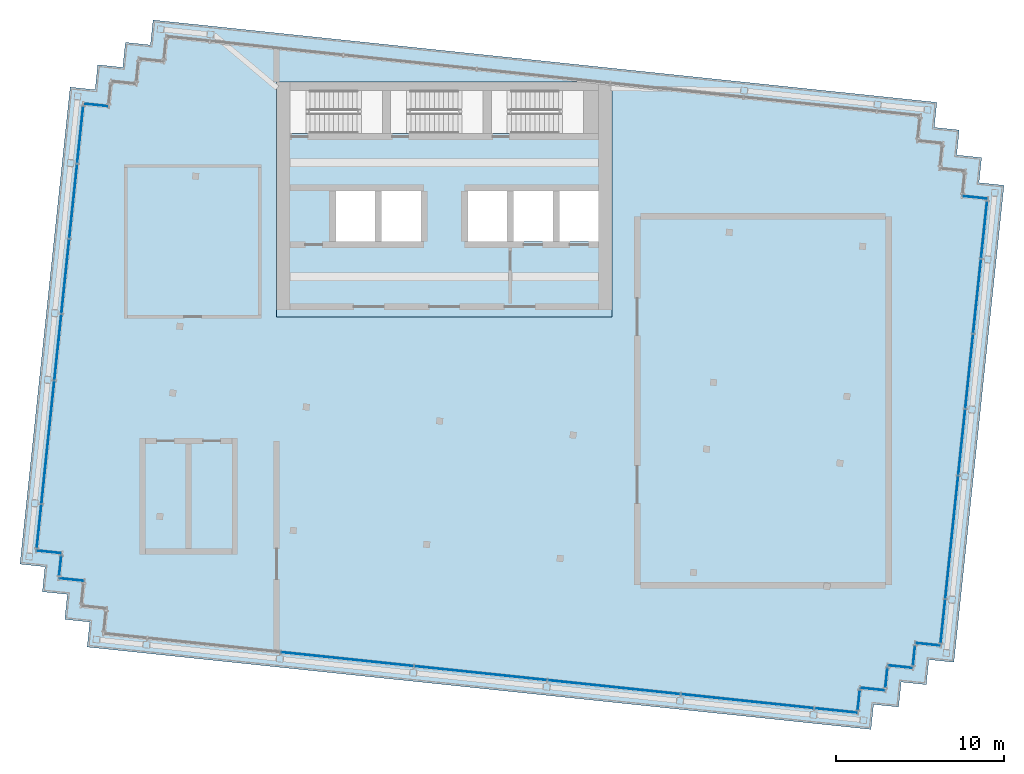
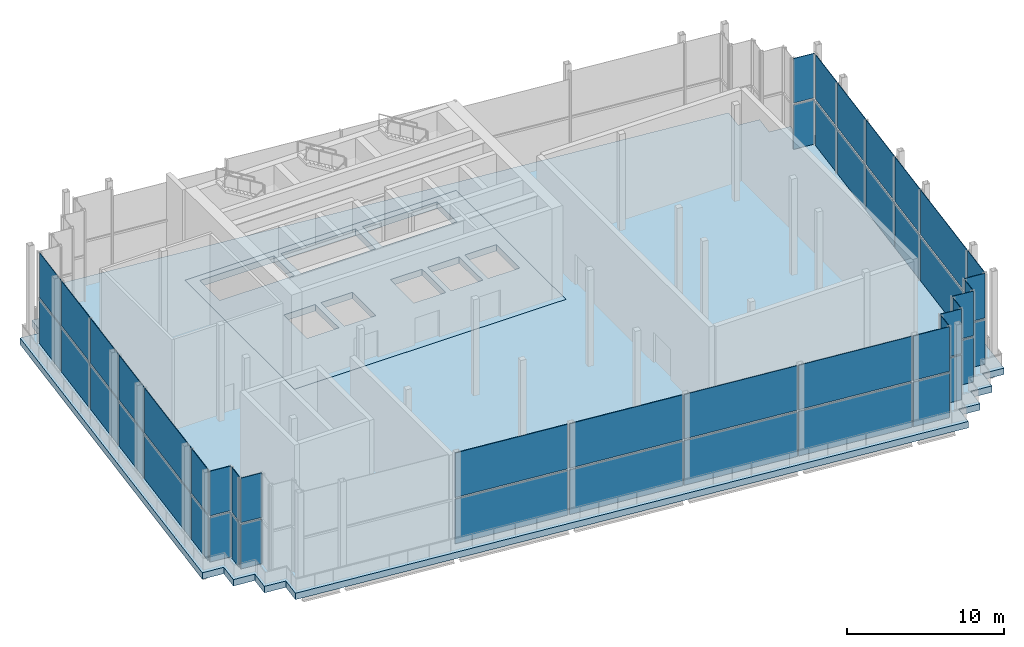
# One storey, part 7 of 14: 55 plates, 2 slabs, 14 elements without a shape of their own.
"""IFC4 building model written with IfcOpenShell, lengths in metres."""

from ifc_helpers import new_model, si_unit, direction, frame, origin, origin_2d, place, context, subcontext, project, spatial, polyline, rectangle, outline, extrude, material, layer, layer_set, type_object, element, aggregate, save


model = new_model("IFC4")

# Units and contexts
model_context = context("Model", 3, precision=1e-05, world=origin(), true_north=direction((0.0, 1.0)))
body_context = subcontext(model_context, "Body", "Model", "MODEL_VIEW")
ifc_project = project(units=[si_unit("LENGTHUNIT", "METRE"), si_unit("AREAUNIT", "SQUARE_METRE"), si_unit("VOLUMEUNIT", "CUBIC_METRE"), si_unit("PLANEANGLEUNIT", "RADIAN"), si_unit("MASSUNIT", "GRAM", prefix="KILO")], contexts=[model_context])

# Site, building, storey
site_placement = place(None, origin())
site = spatial("IfcSite", under=ifc_project, at=site_placement, CompositionType="ELEMENT")
building_placement = place(site_placement, origin())
building = spatial("IfcBuilding", under=site, at=building_placement, Name="Vidyagriha Tower", CompositionType="ELEMENT")
storey_placement = place(building_placement, frame((0.0, 0.0, 301.699951171875)))
storey = spatial("IfcBuildingStorey", under=building, at=storey_placement, Name="L78", CompositionType="ELEMENT", Elevation=301.699951171875)

# Curtain wall, plates
ifc_material_1 = material(Name="Aluminium and glass curtain wall", Category="aluminium")
curtain_wall_type = type_object("IfcCurtainWallType", Name="Damper floor glazing wall", PredefinedType="USERDEFINED", material=ifc_material_1)
curtain_wall_1_placement = place(storey_placement, origin())
curtain_wall_1 = element("IfcCurtainWall", 1, at=curtain_wall_1_placement, inside=storey, type_object=curtain_wall_type, Name="CW5 damper floor glazing", ObjectType="STICK GLAZING", PredefinedType="USERDEFINED")
ifc_material_2 = material(Name="Glass clear low-iron", Category="glass")
ifc_layer_1 = layer(ifc_material_2, 0.0400390625)
ifc_layer_set_1 = layer_set([ifc_layer_1], Name="Glass clear low-iron")
plate_type = type_object("IfcPlateType", Name="Clear damper floor glass panel", PredefinedType="CURTAIN_PANEL", material=ifc_layer_set_1)
plate_1_placement = place(storey_placement, frame((31.64111328125, 13.125244140625, 0.0), z_axis=(0.0, 0.0, 1.0), x_axis=(-0.99452853646, 0.104465258184, 0.0)))
plate_1 = element("IfcPlate", 2, at=plate_1_placement, type_object=plate_type, Name="CW5 panel 1.1", PredefinedType="CURTAIN_PANEL", context=body_context, shape_type="SweptSolid", body=[
    extrude(rectangle(XDim=1.4599609375, YDim=0.0400390625, at=origin_2d()), origin(), (0.0, 0.0, 1.0), 3.469970703125),
])
plate_2_placement = place(storey_placement, frame((31.64111328125, 13.125244140625, 3.60986328125), z_axis=(0.0, 0.0, 1.0), x_axis=(-0.99452853646, 0.104465258184, 0.0)))
plate_2 = element("IfcPlate", 3, at=plate_2_placement, type_object=plate_type, Name="CW5 panel 1.2", PredefinedType="CURTAIN_PANEL", context=body_context, shape_type="SweptSolid", body=[
    extrude(rectangle(XDim=1.4599609375, YDim=0.0400390625, at=origin_2d()), origin(), (0.0, 0.0, 1.0), 3.469970703125),
])
aggregate(curtain_wall_1, [plate_1, plate_2])

# Curtain wall, plate
curtain_wall_2_placement = place(storey_placement, origin())
curtain_wall_2 = element("IfcCurtainWall", 4, at=curtain_wall_2_placement, inside=storey, type_object=curtain_wall_type, Name="CW5 damper floor glazing", ObjectType="STICK GLAZING", PredefinedType="USERDEFINED")
plate_3_placement = place(storey_placement, frame((-20.77001953125, 18.634033203125, 0.0), z_axis=(0.0, 0.0, 1.0), x_axis=(-0.994529851134, 0.104452741485, 0.0)))
plate_3 = element("IfcPlate", 5, at=plate_3_placement, type_object=plate_type, Name="CW5 panel 1.1", PredefinedType="CURTAIN_PANEL", context=body_context, shape_type="SweptSolid", body=[
    extrude(rectangle(XDim=1.460205078125, YDim=0.0400390625, at=origin_2d()), origin(), (0.0, 0.0, 1.0), 3.469970703125),
])
aggregate(curtain_wall_2, [plate_3])

# Curtain wall, plates
curtain_wall_3_placement = place(storey_placement, origin())
curtain_wall_3 = element("IfcCurtainWall", 6, at=curtain_wall_3_placement, inside=storey, type_object=curtain_wall_type, Name="CW5 damper floor glazing", ObjectType="STICK GLAZING", PredefinedType="USERDEFINED")
plate_4_placement = place(storey_placement, frame((-21.7109375, 16.857421875, 0.0), z_axis=(0.0, 0.0, 1.0), x_axis=(-0.104527289697, -0.994522018715, 0.0)))
plate_4 = element("IfcPlate", 7, at=plate_4_placement, type_object=plate_type, Name="CW5 panel 1.1", PredefinedType="CURTAIN_PANEL", context=body_context, shape_type="SweptSolid", body=[
    extrude(rectangle(XDim=3.3701171875, YDim=0.0400390625, at=origin_2d()), origin(), (0.0, 0.0, 1.0), 3.469970703125),
])
plate_5_placement = place(storey_placement, frame((-21.7109375, 16.857421875, 3.60986328125), z_axis=(0.0, 0.0, 1.0), x_axis=(-0.104527289697, -0.994522018715, 0.0)))
plate_5 = element("IfcPlate", 8, at=plate_5_placement, type_object=plate_type, Name="CW5 panel 1.2", PredefinedType="CURTAIN_PANEL", context=body_context, shape_type="SweptSolid", body=[
    extrude(rectangle(XDim=3.3701171875, YDim=0.0400390625, at=origin_2d()), origin(), (0.0, 0.0, 1.0), 3.469970703125),
])
plate_6_placement = place(storey_placement, frame((-22.12744140625, 12.894287109375, 0.0), z_axis=(0.0, 0.0, 1.0), x_axis=(-0.104527289697, -0.994522018715, 0.0)))
plate_6 = element("IfcPlate", 9, at=plate_6_placement, type_object=plate_type, Name="CW5 panel 2.1", PredefinedType="CURTAIN_PANEL", context=body_context, shape_type="SweptSolid", body=[
    extrude(rectangle(XDim=4.400146484375, YDim=0.0400390625, at=origin_2d()), origin(), (0.0, 0.0, 1.0), 3.469970703125),
])
plate_7_placement = place(storey_placement, frame((-22.12744140625, 12.894287109375, 3.60986328125), z_axis=(0.0, 0.0, 1.0), x_axis=(-0.104527289697, -0.994522018715, 0.0)))
plate_7 = element("IfcPlate", 10, at=plate_7_placement, type_object=plate_type, Name="CW5 panel 2.2", PredefinedType="CURTAIN_PANEL", context=body_context, shape_type="SweptSolid", body=[
    extrude(rectangle(XDim=4.400146484375, YDim=0.0400390625, at=origin_2d()), origin(), (0.0, 0.0, 1.0), 3.469970703125),
])
plate_8_placement = place(storey_placement, frame((-22.597900390625, 8.4189453125, 0.0), z_axis=(0.0, 0.0, 1.0), x_axis=(-0.104527289697, -0.994522018715, 0.0)))
plate_8 = element("IfcPlate", 11, at=plate_8_placement, type_object=plate_type, Name="CW5 panel 3.1", PredefinedType="CURTAIN_PANEL", context=body_context, shape_type="SweptSolid", body=[
    extrude(rectangle(XDim=4.39990234375, YDim=0.0400390625, at=origin_2d()), origin(), (0.0, 0.0, 1.0), 3.469970703125),
])
plate_9_placement = place(storey_placement, frame((-22.597900390625, 8.4189453125, 3.60986328125), z_axis=(0.0, 0.0, 1.0), x_axis=(-0.104527289697, -0.994522018715, 0.0)))
plate_9 = element("IfcPlate", 12, at=plate_9_placement, type_object=plate_type, Name="CW5 panel 3.2", PredefinedType="CURTAIN_PANEL", context=body_context, shape_type="SweptSolid", body=[
    extrude(rectangle(XDim=4.39990234375, YDim=0.0400390625, at=origin_2d()), origin(), (0.0, 0.0, 1.0), 3.469970703125),
])
plate_10_placement = place(storey_placement, frame((-23.0419921875, 4.192138671875, 0.0), z_axis=(0.0, 0.0, 1.0), x_axis=(-0.104527289697, -0.994522018715, 0.0)))
plate_10 = element("IfcPlate", 13, at=plate_10_placement, type_object=plate_type, Name="CW5 panel 4.1", PredefinedType="CURTAIN_PANEL", context=body_context, shape_type="SweptSolid", body=[
    extrude(rectangle(XDim=3.89990234375, YDim=0.0400390625, at=origin_2d()), origin(), (0.0, 0.0, 1.0), 3.469970703125),
])
plate_11_placement = place(storey_placement, frame((-23.0419921875, 4.192138671875, 3.60986328125), z_axis=(0.0, 0.0, 1.0), x_axis=(-0.104527289697, -0.994522018715, 0.0)))
plate_11 = element("IfcPlate", 14, at=plate_11_placement, type_object=plate_type, Name="CW5 panel 4.2", PredefinedType="CURTAIN_PANEL", context=body_context, shape_type="SweptSolid", body=[
    extrude(rectangle(XDim=3.89990234375, YDim=0.0400390625, at=origin_2d()), origin(), (0.0, 0.0, 1.0), 3.469970703125),
])
plate_12_placement = place(storey_placement, frame((-23.637939453125, -1.4765625, 0.0), z_axis=(0.0, 0.0, 1.0), x_axis=(-0.104527289697, -0.994522018715, 0.0)))
plate_12 = element("IfcPlate", 15, at=plate_12_placement, type_object=plate_type, Name="CW5 panel 5.1", PredefinedType="CURTAIN_PANEL", context=body_context, shape_type="SweptSolid", body=[
    extrude(rectangle(XDim=7.300048828125, YDim=0.0400390625, at=origin_2d()), origin(), (0.0, 0.0, 1.0), 3.469970703125),
])
plate_13_placement = place(storey_placement, frame((-23.637939453125, -1.4765625, 3.60986328125), z_axis=(0.0, 0.0, 1.0), x_axis=(-0.104527289697, -0.994522018715, 0.0)))
plate_13 = element("IfcPlate", 16, at=plate_13_placement, type_object=plate_type, Name="CW5 panel 5.2", PredefinedType="CURTAIN_PANEL", context=body_context, shape_type="SweptSolid", body=[
    extrude(rectangle(XDim=7.300048828125, YDim=0.0400390625, at=origin_2d()), origin(), (0.0, 0.0, 1.0), 3.469970703125),
])
plate_14_placement = place(storey_placement, frame((-24.164306640625, -6.48388671875, 0.0), z_axis=(0.0, 0.0, 1.0), x_axis=(-0.104527289697, -0.994522018715, 0.0)))
plate_14 = element("IfcPlate", 17, at=plate_14_placement, type_object=plate_type, Name="CW5 panel 6.1", PredefinedType="CURTAIN_PANEL", context=body_context, shape_type="SweptSolid", body=[
    extrude(rectangle(XDim=2.56982421875, YDim=0.0400390625, at=origin_2d()), origin(), (0.0, 0.0, 1.0), 3.469970703125),
])
plate_15_placement = place(storey_placement, frame((-24.164306640625, -6.48388671875, 3.60986328125), z_axis=(0.0, 0.0, 1.0), x_axis=(-0.104527289697, -0.994522018715, 0.0)))
plate_15 = element("IfcPlate", 18, at=plate_15_placement, type_object=plate_type, Name="CW5 panel 6.2", PredefinedType="CURTAIN_PANEL", context=body_context, shape_type="SweptSolid", body=[
    extrude(rectangle(XDim=2.56982421875, YDim=0.0400390625, at=origin_2d()), origin(), (0.0, 0.0, 1.0), 3.469970703125),
])
aggregate(curtain_wall_3, [plate_4, plate_5, plate_6, plate_7, plate_8, plate_9, plate_10, plate_11, plate_12, plate_13, plate_14, plate_15])

curtain_wall_4_placement = place(storey_placement, origin())
curtain_wall_4 = element("IfcCurtainWall", 19, at=curtain_wall_4_placement, inside=storey, type_object=curtain_wall_type, Name="CW5 damper floor glazing", ObjectType="STICK GLAZING", PredefinedType="USERDEFINED")
plate_16_placement = place(storey_placement, frame((-23.5712890625, -8.019287109375, 0.0), z_axis=(0.0, 0.0, 1.0), x_axis=(0.994522933756, -0.104518583201, 0.0)))
plate_16 = element("IfcPlate", 20, at=plate_16_placement, type_object=plate_type, Name="CW5 panel 1.1", PredefinedType="CURTAIN_PANEL", context=body_context, shape_type="SweptSolid", body=[
    extrude(rectangle(XDim=1.4599609375, YDim=0.0400390625, at=origin_2d()), origin(), (0.0, 0.0, 1.0), 3.469970703125),
])
plate_17_placement = place(storey_placement, frame((-23.5712890625, -8.019287109375, 3.60986328125), z_axis=(0.0, 0.0, 1.0), x_axis=(0.994522933756, -0.104518583201, 0.0)))
plate_17 = element("IfcPlate", 21, at=plate_17_placement, type_object=plate_type, Name="CW5 panel 1.2", PredefinedType="CURTAIN_PANEL", context=body_context, shape_type="SweptSolid", body=[
    extrude(rectangle(XDim=1.4599609375, YDim=0.0400390625, at=origin_2d()), origin(), (0.0, 0.0, 1.0), 3.469970703125),
])
aggregate(curtain_wall_4, [plate_16, plate_17])

curtain_wall_5_placement = place(storey_placement, origin())
curtain_wall_5 = element("IfcCurtainWall", 22, at=curtain_wall_5_placement, inside=storey, type_object=curtain_wall_type, Name="CW5 damper floor glazing", ObjectType="STICK GLAZING", PredefinedType="USERDEFINED")
plate_18_placement = place(storey_placement, frame((-22.90380859375, -8.843505859375, 0.0), z_axis=(0.0, 0.0, 1.0), x_axis=(-0.104556583677, -0.994518939392, 0.0)))
plate_18 = element("IfcPlate", 23, at=plate_18_placement, type_object=plate_type, Name="CW5 panel 1.1", PredefinedType="CURTAIN_PANEL", context=body_context, shape_type="SweptSolid", body=[
    extrude(rectangle(XDim=1.139892578125, YDim=0.0400390625, at=origin_2d()), origin(), (0.0, 0.0, 1.0), 3.469970703125),
])
plate_19_placement = place(storey_placement, frame((-22.90380859375, -8.843505859375, 3.60986328125), z_axis=(0.0, 0.0, 1.0), x_axis=(-0.104556583677, -0.994518939392, 0.0)))
plate_19 = element("IfcPlate", 24, at=plate_19_placement, type_object=plate_type, Name="CW5 panel 1.2", PredefinedType="CURTAIN_PANEL", context=body_context, shape_type="SweptSolid", body=[
    extrude(rectangle(XDim=1.139892578125, YDim=0.0400390625, at=origin_2d()), origin(), (0.0, 0.0, 1.0), 3.469970703125),
])
aggregate(curtain_wall_5, [plate_18, plate_19])

curtain_wall_6_placement = place(storey_placement, origin())
curtain_wall_6 = element("IfcCurtainWall", 25, at=curtain_wall_6_placement, inside=storey, type_object=curtain_wall_type, Name="CW5 damper floor glazing", ObjectType="STICK GLAZING", PredefinedType="USERDEFINED")
plate_20_placement = place(storey_placement, frame((-22.236572265625, -9.667724609375, 0.0), z_axis=(0.0, 0.0, 1.0), x_axis=(0.994529193856, -0.104458999463, 0.0)))
plate_20 = element("IfcPlate", 26, at=plate_20_placement, type_object=plate_type, Name="CW5 panel 1.1", PredefinedType="CURTAIN_PANEL", context=body_context, shape_type="SweptSolid", body=[
    extrude(rectangle(XDim=1.4599609375, YDim=0.0400390625, at=origin_2d()), origin(), (0.0, 0.0, 1.0), 3.469970703125),
])
plate_21_placement = place(storey_placement, frame((-22.236572265625, -9.667724609375, 3.60986328125), z_axis=(0.0, 0.0, 1.0), x_axis=(0.994529193856, -0.104458999463, 0.0)))
plate_21 = element("IfcPlate", 27, at=plate_21_placement, type_object=plate_type, Name="CW5 panel 1.2", PredefinedType="CURTAIN_PANEL", context=body_context, shape_type="SweptSolid", body=[
    extrude(rectangle(XDim=1.4599609375, YDim=0.0400390625, at=origin_2d()), origin(), (0.0, 0.0, 1.0), 3.469970703125),
])
aggregate(curtain_wall_6, [plate_20, plate_21])

curtain_wall_7_placement = place(storey_placement, origin())
curtain_wall_7 = element("IfcCurtainWall", 28, at=curtain_wall_7_placement, inside=storey, type_object=curtain_wall_type, Name="CW5 damper floor glazing", ObjectType="STICK GLAZING", PredefinedType="USERDEFINED")
plate_22_placement = place(storey_placement, frame((-5.792236328125, -14.41259765625, 0.0), z_axis=(0.0, 0.0, 1.0), x_axis=(0.99452191762, -0.104528251556, 0.0)))
plate_22 = element("IfcPlate", 29, at=plate_22_placement, type_object=plate_type, Name="CW5 panel 3.1", PredefinedType="CURTAIN_PANEL", context=body_context, shape_type="SweptSolid", body=[
    extrude(rectangle(XDim=7.89990234375, YDim=0.0400390625, at=origin_2d()), origin(), (0.0, 0.0, 1.0), 3.469970703125),
])
plate_23_placement = place(storey_placement, frame((-5.792236328125, -14.41259765625, 3.60986328125), z_axis=(0.0, 0.0, 1.0), x_axis=(0.99452191762, -0.104528251556, 0.0)))
plate_23 = element("IfcPlate", 30, at=plate_23_placement, type_object=plate_type, Name="CW5 panel 3.2", PredefinedType="CURTAIN_PANEL", context=body_context, shape_type="SweptSolid", body=[
    extrude(rectangle(XDim=7.89990234375, YDim=0.0400390625, at=origin_2d()), origin(), (0.0, 0.0, 1.0), 3.469970703125),
])
plate_24_placement = place(storey_placement, frame((2.163818359375, -15.248779296875, 0.0), z_axis=(0.0, 0.0, 1.0), x_axis=(0.99452191762, -0.104528251556, 0.0)))
plate_24 = element("IfcPlate", 31, at=plate_24_placement, type_object=plate_type, Name="CW5 panel 4.1", PredefinedType="CURTAIN_PANEL", context=body_context, shape_type="SweptSolid", body=[
    extrude(rectangle(XDim=7.89990234375, YDim=0.0400390625, at=origin_2d()), origin(), (0.0, 0.0, 1.0), 3.469970703125),
])
plate_25_placement = place(storey_placement, frame((2.163818359375, -15.248779296875, 3.60986328125), z_axis=(0.0, 0.0, 1.0), x_axis=(0.99452191762, -0.104528251556, 0.0)))
plate_25 = element("IfcPlate", 32, at=plate_25_placement, type_object=plate_type, Name="CW5 panel 4.2", PredefinedType="CURTAIN_PANEL", context=body_context, shape_type="SweptSolid", body=[
    extrude(rectangle(XDim=7.89990234375, YDim=0.0400390625, at=origin_2d()), origin(), (0.0, 0.0, 1.0), 3.469970703125),
])
plate_26_placement = place(storey_placement, frame((10.1201171875, -16.085205078125, 0.0), z_axis=(0.0, 0.0, 1.0), x_axis=(0.99452191762, -0.104528251556, 0.0)))
plate_26 = element("IfcPlate", 33, at=plate_26_placement, type_object=plate_type, Name="CW5 panel 5.1", PredefinedType="CURTAIN_PANEL", context=body_context, shape_type="SweptSolid", body=[
    extrude(rectangle(XDim=7.89990234375, YDim=0.0400390625, at=origin_2d()), origin(), (0.0, 0.0, 1.0), 3.469970703125),
])
plate_27_placement = place(storey_placement, frame((10.1201171875, -16.085205078125, 3.60986328125), z_axis=(0.0, 0.0, 1.0), x_axis=(0.99452191762, -0.104528251556, 0.0)))
plate_27 = element("IfcPlate", 34, at=plate_27_placement, type_object=plate_type, Name="CW5 panel 5.2", PredefinedType="CURTAIN_PANEL", context=body_context, shape_type="SweptSolid", body=[
    extrude(rectangle(XDim=7.89990234375, YDim=0.0400390625, at=origin_2d()), origin(), (0.0, 0.0, 1.0), 3.469970703125),
])
plate_28_placement = place(storey_placement, frame((18.076171875, -16.92138671875, 0.0), z_axis=(0.0, 0.0, 1.0), x_axis=(0.99452191762, -0.104528251556, 0.0)))
plate_28 = element("IfcPlate", 35, at=plate_28_placement, type_object=plate_type, Name="CW5 panel 6.1", PredefinedType="CURTAIN_PANEL", context=body_context, shape_type="SweptSolid", body=[
    extrude(rectangle(XDim=7.89990234375, YDim=0.0400390625, at=origin_2d()), origin(), (0.0, 0.0, 1.0), 3.469970703125),
])
plate_29_placement = place(storey_placement, frame((18.076171875, -16.92138671875, 3.60986328125), z_axis=(0.0, 0.0, 1.0), x_axis=(0.99452191762, -0.104528251556, 0.0)))
plate_29 = element("IfcPlate", 36, at=plate_29_placement, type_object=plate_type, Name="CW5 panel 6.2", PredefinedType="CURTAIN_PANEL", context=body_context, shape_type="SweptSolid", body=[
    extrude(rectangle(XDim=7.89990234375, YDim=0.0400390625, at=origin_2d()), origin(), (0.0, 0.0, 1.0), 3.469970703125),
])
plate_30_placement = place(storey_placement, frame((23.362060546875, -17.476806640625, 0.0), z_axis=(0.0, 0.0, 1.0), x_axis=(0.99452191762, -0.104528251556, 0.0)))
plate_30 = element("IfcPlate", 37, at=plate_30_placement, type_object=plate_type, Name="CW5 panel 7.1", PredefinedType="CURTAIN_PANEL", context=body_context, shape_type="SweptSolid", body=[
    extrude(rectangle(XDim=2.530029296875, YDim=0.0400390625, at=origin_2d()), origin(), (0.0, 0.0, 1.0), 3.469970703125),
])
plate_31_placement = place(storey_placement, frame((23.362060546875, -17.476806640625, 3.60986328125), z_axis=(0.0, 0.0, 1.0), x_axis=(0.99452191762, -0.104528251556, 0.0)))
plate_31 = element("IfcPlate", 38, at=plate_31_placement, type_object=plate_type, Name="CW5 panel 7.2", PredefinedType="CURTAIN_PANEL", context=body_context, shape_type="SweptSolid", body=[
    extrude(rectangle(XDim=2.530029296875, YDim=0.0400390625, at=origin_2d()), origin(), (0.0, 0.0, 1.0), 3.469970703125),
])
aggregate(curtain_wall_7, [plate_22, plate_23, plate_24, plate_25, plate_26, plate_27, plate_28, plate_29, plate_30, plate_31])

curtain_wall_8_placement = place(storey_placement, origin())
curtain_wall_8 = element("IfcCurtainWall", 39, at=curtain_wall_8_placement, inside=storey, type_object=curtain_wall_type, Name="CW5 damper floor glazing", ObjectType="STICK GLAZING", PredefinedType="USERDEFINED")
plate_32_placement = place(storey_placement, frame((24.718505859375, -16.865478515625, 0.0), z_axis=(0.0, 0.0, 1.0), x_axis=(0.104556583677, 0.994518939392, 0.0)))
plate_32 = element("IfcPlate", 40, at=plate_32_placement, type_object=plate_type, Name="CW5 panel 1.1", PredefinedType="CURTAIN_PANEL", context=body_context, shape_type="SweptSolid", body=[
    extrude(rectangle(XDim=1.139892578125, YDim=0.0400390625, at=origin_2d()), origin(), (0.0, 0.0, 1.0), 3.469970703125),
])
plate_33_placement = place(storey_placement, frame((24.718505859375, -16.865478515625, 3.60986328125), z_axis=(0.0, 0.0, 1.0), x_axis=(0.104556583677, 0.994518939392, 0.0)))
plate_33 = element("IfcPlate", 41, at=plate_33_placement, type_object=plate_type, Name="CW5 panel 1.2", PredefinedType="CURTAIN_PANEL", context=body_context, shape_type="SweptSolid", body=[
    extrude(rectangle(XDim=1.139892578125, YDim=0.0400390625, at=origin_2d()), origin(), (0.0, 0.0, 1.0), 3.469970703125),
])
aggregate(curtain_wall_8, [plate_32, plate_33])

curtain_wall_9_placement = place(storey_placement, origin())
curtain_wall_9 = element("IfcCurtainWall", 42, at=curtain_wall_9_placement, inside=storey, type_object=curtain_wall_type, Name="CW5 damper floor glazing", ObjectType="STICK GLAZING", PredefinedType="USERDEFINED")
plate_34_placement = place(storey_placement, frame((25.542724609375, -16.197998046875, 0.0), z_axis=(0.0, 0.0, 1.0), x_axis=(0.994522933756, -0.104518583201, 0.0)))
plate_34 = element("IfcPlate", 43, at=plate_34_placement, type_object=plate_type, Name="CW5 panel 1.1", PredefinedType="CURTAIN_PANEL", context=body_context, shape_type="SweptSolid", body=[
    extrude(rectangle(XDim=1.4599609375, YDim=0.0400390625, at=origin_2d()), origin(), (0.0, 0.0, 1.0), 3.469970703125),
])
plate_35_placement = place(storey_placement, frame((25.542724609375, -16.197998046875, 3.60986328125), z_axis=(0.0, 0.0, 1.0), x_axis=(0.994522933756, -0.104518583201, 0.0)))
plate_35 = element("IfcPlate", 44, at=plate_35_placement, type_object=plate_type, Name="CW5 panel 1.2", PredefinedType="CURTAIN_PANEL", context=body_context, shape_type="SweptSolid", body=[
    extrude(rectangle(XDim=1.4599609375, YDim=0.0400390625, at=origin_2d()), origin(), (0.0, 0.0, 1.0), 3.469970703125),
])
aggregate(curtain_wall_9, [plate_34, plate_35])

curtain_wall_10_placement = place(storey_placement, origin())
curtain_wall_10 = element("IfcCurtainWall", 45, at=curtain_wall_10_placement, inside=storey, type_object=curtain_wall_type, Name="CW5 damper floor glazing", ObjectType="STICK GLAZING", PredefinedType="USERDEFINED")
plate_36_placement = place(storey_placement, frame((26.366943359375, -15.530517578125, 0.0), z_axis=(0.0, 0.0, 1.0), x_axis=(0.104548823962, 0.994519755162, 0.0)))
plate_36 = element("IfcPlate", 46, at=plate_36_placement, type_object=plate_type, Name="CW5 panel 1.1", PredefinedType="CURTAIN_PANEL", context=body_context, shape_type="SweptSolid", body=[
    extrude(rectangle(XDim=1.139892578125, YDim=0.0400390625, at=origin_2d()), origin(), (0.0, 0.0, 1.0), 3.469970703125),
])
plate_37_placement = place(storey_placement, frame((26.366943359375, -15.530517578125, 3.60986328125), z_axis=(0.0, 0.0, 1.0), x_axis=(0.104548823962, 0.994519755162, 0.0)))
plate_37 = element("IfcPlate", 47, at=plate_37_placement, type_object=plate_type, Name="CW5 panel 1.2", PredefinedType="CURTAIN_PANEL", context=body_context, shape_type="SweptSolid", body=[
    extrude(rectangle(XDim=1.139892578125, YDim=0.0400390625, at=origin_2d()), origin(), (0.0, 0.0, 1.0), 3.469970703125),
])
aggregate(curtain_wall_10, [plate_36, plate_37])

curtain_wall_11_placement = place(storey_placement, origin())
curtain_wall_11 = element("IfcCurtainWall", 48, at=curtain_wall_11_placement, inside=storey, type_object=curtain_wall_type, Name="CW5 damper floor glazing", ObjectType="STICK GLAZING", PredefinedType="USERDEFINED")
plate_38_placement = place(storey_placement, frame((27.19140625, -14.86279296875, 0.0), z_axis=(0.0, 0.0, 1.0), x_axis=(0.994522933756, -0.104518583201, 0.0)))
plate_38 = element("IfcPlate", 49, at=plate_38_placement, type_object=plate_type, Name="CW5 panel 1.1", PredefinedType="CURTAIN_PANEL", context=body_context, shape_type="SweptSolid", body=[
    extrude(rectangle(XDim=1.4599609375, YDim=0.0400390625, at=origin_2d()), origin(), (0.0, 0.0, 1.0), 3.469970703125),
])
plate_39_placement = place(storey_placement, frame((27.19140625, -14.86279296875, 3.60986328125), z_axis=(0.0, 0.0, 1.0), x_axis=(0.994522933756, -0.104518583201, 0.0)))
plate_39 = element("IfcPlate", 50, at=plate_39_placement, type_object=plate_type, Name="CW5 panel 1.2", PredefinedType="CURTAIN_PANEL", context=body_context, shape_type="SweptSolid", body=[
    extrude(rectangle(XDim=1.4599609375, YDim=0.0400390625, at=origin_2d()), origin(), (0.0, 0.0, 1.0), 3.469970703125),
])
aggregate(curtain_wall_11, [plate_38, plate_39])

curtain_wall_12_placement = place(storey_placement, origin())
curtain_wall_12 = element("IfcCurtainWall", 51, at=curtain_wall_12_placement, inside=storey, type_object=curtain_wall_type, Name="CW5 damper floor glazing", ObjectType="STICK GLAZING", PredefinedType="USERDEFINED")
plate_40_placement = place(storey_placement, frame((28.015625, -14.1953125, 0.0), z_axis=(0.0, 0.0, 1.0), x_axis=(0.104548823962, 0.994519755162, 0.0)))
plate_40 = element("IfcPlate", 52, at=plate_40_placement, type_object=plate_type, Name="CW5 panel 1.1", PredefinedType="CURTAIN_PANEL", context=body_context, shape_type="SweptSolid", body=[
    extrude(rectangle(XDim=1.139892578125, YDim=0.0400390625, at=origin_2d()), origin(), (0.0, 0.0, 1.0), 3.469970703125),
])
plate_41_placement = place(storey_placement, frame((28.015625, -14.1953125, 3.60986328125), z_axis=(0.0, 0.0, 1.0), x_axis=(0.104548823962, 0.994519755162, 0.0)))
plate_41 = element("IfcPlate", 53, at=plate_41_placement, type_object=plate_type, Name="CW5 panel 1.2", PredefinedType="CURTAIN_PANEL", context=body_context, shape_type="SweptSolid", body=[
    extrude(rectangle(XDim=1.139892578125, YDim=0.0400390625, at=origin_2d()), origin(), (0.0, 0.0, 1.0), 3.469970703125),
])
aggregate(curtain_wall_12, [plate_40, plate_41])

curtain_wall_13_placement = place(storey_placement, origin())
curtain_wall_13 = element("IfcCurtainWall", 54, at=curtain_wall_13_placement, inside=storey, type_object=curtain_wall_type, Name="CW5 damper floor glazing", ObjectType="STICK GLAZING", PredefinedType="USERDEFINED")
plate_42_placement = place(storey_placement, frame((28.83984375, -13.528076171875, 0.0), z_axis=(0.0, 0.0, 1.0), x_axis=(0.994523591781, -0.104512321721, 0.0)))
plate_42 = element("IfcPlate", 55, at=plate_42_placement, type_object=plate_type, Name="CW5 panel 1.1", PredefinedType="CURTAIN_PANEL", context=body_context, shape_type="SweptSolid", body=[
    extrude(rectangle(XDim=1.460205078125, YDim=0.0400390625, at=origin_2d()), origin(), (0.0, 0.0, 1.0), 3.469970703125),
])
plate_43_placement = place(storey_placement, frame((28.83984375, -13.528076171875, 3.60986328125), z_axis=(0.0, 0.0, 1.0), x_axis=(0.994523591781, -0.104512321721, 0.0)))
plate_43 = element("IfcPlate", 56, at=plate_43_placement, type_object=plate_type, Name="CW5 panel 1.2", PredefinedType="CURTAIN_PANEL", context=body_context, shape_type="SweptSolid", body=[
    extrude(rectangle(XDim=1.460205078125, YDim=0.0400390625, at=origin_2d()), origin(), (0.0, 0.0, 1.0), 3.469970703125),
])
aggregate(curtain_wall_13, [plate_42, plate_43])

curtain_wall_14_placement = place(storey_placement, origin())
curtain_wall_14 = element("IfcCurtainWall", 57, at=curtain_wall_14_placement, inside=storey, type_object=curtain_wall_type, Name="CW5 damper floor glazing", ObjectType="STICK GLAZING", PredefinedType="USERDEFINED")
plate_44_placement = place(storey_placement, frame((29.739013671875, -12.1494140625, 0.0), z_axis=(0.0, 0.0, 1.0), x_axis=(0.104526899479, 0.994522059728, 0.0)))
plate_44 = element("IfcPlate", 58, at=plate_44_placement, type_object=plate_type, Name="CW5 panel 1.1", PredefinedType="CURTAIN_PANEL", context=body_context, shape_type="SweptSolid", body=[
    extrude(rectangle(XDim=2.570068359375, YDim=0.0400390625, at=origin_2d()), origin(), (0.0, 0.0, 1.0), 3.469970703125),
])
plate_45_placement = place(storey_placement, frame((29.739013671875, -12.1494140625, 3.60986328125), z_axis=(0.0, 0.0, 1.0), x_axis=(0.104526899479, 0.994522059728, 0.0)))
plate_45 = element("IfcPlate", 59, at=plate_45_placement, type_object=plate_type, Name="CW5 panel 1.2", PredefinedType="CURTAIN_PANEL", context=body_context, shape_type="SweptSolid", body=[
    extrude(rectangle(XDim=2.570068359375, YDim=0.0400390625, at=origin_2d()), origin(), (0.0, 0.0, 1.0), 3.469970703125),
])
plate_46_placement = place(storey_placement, frame((30.26513671875, -7.14208984375, 0.0), z_axis=(0.0, 0.0, 1.0), x_axis=(0.104526899479, 0.994522059728, 0.0)))
plate_46 = element("IfcPlate", 60, at=plate_46_placement, type_object=plate_type, Name="CW5 panel 2.1", PredefinedType="CURTAIN_PANEL", context=body_context, shape_type="SweptSolid", body=[
    extrude(rectangle(XDim=7.300048828125, YDim=0.0400390625, at=origin_2d()), origin(), (0.0, 0.0, 1.0), 3.469970703125),
])
plate_47_placement = place(storey_placement, frame((30.26513671875, -7.14208984375, 3.60986328125), z_axis=(0.0, 0.0, 1.0), x_axis=(0.104526899479, 0.994522059728, 0.0)))
plate_47 = element("IfcPlate", 61, at=plate_47_placement, type_object=plate_type, Name="CW5 panel 2.2", PredefinedType="CURTAIN_PANEL", context=body_context, shape_type="SweptSolid", body=[
    extrude(rectangle(XDim=7.300048828125, YDim=0.0400390625, at=origin_2d()), origin(), (0.0, 0.0, 1.0), 3.469970703125),
])
plate_48_placement = place(storey_placement, frame((30.861083984375, -1.47314453125, 0.0), z_axis=(0.0, 0.0, 1.0), x_axis=(0.104526899479, 0.994522059728, 0.0)))
plate_48 = element("IfcPlate", 62, at=plate_48_placement, type_object=plate_type, Name="CW5 panel 3.1", PredefinedType="CURTAIN_PANEL", context=body_context, shape_type="SweptSolid", body=[
    extrude(rectangle(XDim=3.89990234375, YDim=0.0400390625, at=origin_2d()), origin(), (0.0, 0.0, 1.0), 3.469970703125),
])
plate_49_placement = place(storey_placement, frame((30.861083984375, -1.47314453125, 3.60986328125), z_axis=(0.0, 0.0, 1.0), x_axis=(0.104526899479, 0.994522059728, 0.0)))
plate_49 = element("IfcPlate", 63, at=plate_49_placement, type_object=plate_type, Name="CW5 panel 3.2", PredefinedType="CURTAIN_PANEL", context=body_context, shape_type="SweptSolid", body=[
    extrude(rectangle(XDim=3.89990234375, YDim=0.0400390625, at=origin_2d()), origin(), (0.0, 0.0, 1.0), 3.469970703125),
])
plate_50_placement = place(storey_placement, frame((31.30517578125, 2.75341796875, 0.0), z_axis=(0.0, 0.0, 1.0), x_axis=(0.104526899479, 0.994522059728, 0.0)))
plate_50 = element("IfcPlate", 64, at=plate_50_placement, type_object=plate_type, Name="CW5 panel 4.1", PredefinedType="CURTAIN_PANEL", context=body_context, shape_type="SweptSolid", body=[
    extrude(rectangle(XDim=4.39990234375, YDim=0.0400390625, at=origin_2d()), origin(), (0.0, 0.0, 1.0), 3.469970703125),
])
plate_51_placement = place(storey_placement, frame((31.30517578125, 2.75341796875, 3.60986328125), z_axis=(0.0, 0.0, 1.0), x_axis=(0.104526899479, 0.994522059728, 0.0)))
plate_51 = element("IfcPlate", 65, at=plate_51_placement, type_object=plate_type, Name="CW5 panel 4.2", PredefinedType="CURTAIN_PANEL", context=body_context, shape_type="SweptSolid", body=[
    extrude(rectangle(XDim=4.39990234375, YDim=0.0400390625, at=origin_2d()), origin(), (0.0, 0.0, 1.0), 3.469970703125),
])
plate_52_placement = place(storey_placement, frame((31.775634765625, 7.22900390625, 0.0), z_axis=(0.0, 0.0, 1.0), x_axis=(0.104526899479, 0.994522059728, 0.0)))
plate_52 = element("IfcPlate", 66, at=plate_52_placement, type_object=plate_type, Name="CW5 panel 5.1", PredefinedType="CURTAIN_PANEL", context=body_context, shape_type="SweptSolid", body=[
    extrude(rectangle(XDim=4.39990234375, YDim=0.0400390625, at=origin_2d()), origin(), (0.0, 0.0, 1.0), 3.469970703125),
])
plate_53_placement = place(storey_placement, frame((31.775634765625, 7.22900390625, 3.60986328125), z_axis=(0.0, 0.0, 1.0), x_axis=(0.104526899479, 0.994522059728, 0.0)))
plate_53 = element("IfcPlate", 67, at=plate_53_placement, type_object=plate_type, Name="CW5 panel 5.2", PredefinedType="CURTAIN_PANEL", context=body_context, shape_type="SweptSolid", body=[
    extrude(rectangle(XDim=4.39990234375, YDim=0.0400390625, at=origin_2d()), origin(), (0.0, 0.0, 1.0), 3.469970703125),
])
plate_54_placement = place(storey_placement, frame((32.192138671875, 11.19189453125, 0.0), z_axis=(0.0, 0.0, 1.0), x_axis=(0.104526899479, 0.994522059728, 0.0)))
plate_54 = element("IfcPlate", 68, at=plate_54_placement, type_object=plate_type, Name="CW5 panel 6.1", PredefinedType="CURTAIN_PANEL", context=body_context, shape_type="SweptSolid", body=[
    extrude(rectangle(XDim=3.3701171875, YDim=0.0400390625, at=origin_2d()), origin(), (0.0, 0.0, 1.0), 3.469970703125),
])
plate_55_placement = place(storey_placement, frame((32.192138671875, 11.19189453125, 3.60986328125), z_axis=(0.0, 0.0, 1.0), x_axis=(0.104526899479, 0.994522059728, 0.0)))
plate_55 = element("IfcPlate", 69, at=plate_55_placement, type_object=plate_type, Name="CW5 panel 6.2", PredefinedType="CURTAIN_PANEL", context=body_context, shape_type="SweptSolid", body=[
    extrude(rectangle(XDim=3.3701171875, YDim=0.0400390625, at=origin_2d()), origin(), (0.0, 0.0, 1.0), 3.469970703125),
])
aggregate(curtain_wall_14, [plate_44, plate_45, plate_46, plate_47, plate_48, plate_49, plate_50, plate_51, plate_52, plate_53, plate_54, plate_55])

# Slabs
ifc_material_3 = material(Name="Concrete C60/75", Category="concrete")
ifc_layer_2 = layer(ifc_material_3, 0.5)
ifc_layer_set_2 = layer_set([ifc_layer_2], Name="Concrete C60/75")
slab_type_1 = type_object("IfcSlabType", Name="Core floor slab 500 mm", PredefinedType="FLOOR", material=ifc_layer_set_2)
slab_1_placement = place(storey_placement, frame((0.0, 0.0, -0.5)))
element("IfcSlab", 70, at=slab_1_placement, inside=storey, type_object=slab_type_1, Name="L78 core floor 1", PredefinedType="FLOOR", context=body_context, shape_type="SweptSolid", body=[
    extrude(outline(polyline([(-10.0, 6.0), (-10.0, 20.0), (10.0, 20.0), (10.0, 6.0), (-10.0, 6.0)]), holes=[polyline([(6.86669921875, 13.5), (6.86669921875, 10.5), (9.199951171875, 10.5), (9.199951171875, 13.5), (6.86669921875, 13.5)]), polyline([(4.0, 19.5), (2.800048828125, 19.5), (2.800048828125, 16.949951171875), (4.0, 16.949951171875), (8.300048828125, 16.949951171875), (8.300048828125, 19.5), (4.0, 19.5)]), polyline([(6.466796875, 13.5), (4.13330078125, 13.5), (4.13330078125, 10.5), (6.466796875, 10.5), (6.466796875, 13.5)]), polyline([(3.7333984375, 13.5), (1.39990234375, 13.5), (1.39990234375, 10.5), (3.7333984375, 10.5), (3.7333984375, 13.5)]), polyline([(-2.0, 16.949951171875), (2.300048828125, 16.949951171875), (2.300048828125, 19.5), (-2.0, 19.5), (-3.199951171875, 19.5), (-3.199951171875, 16.949951171875), (-2.0, 16.949951171875)]), polyline([(-3.7333984375, 13.5), (-3.7333984375, 10.5), (-1.39990234375, 10.5), (-1.39990234375, 13.5), (-3.7333984375, 13.5)]), polyline([(-9.199951171875, 19.5), (-9.199951171875, 16.949951171875), (-8.0, 16.949951171875), (-3.699951171875, 16.949951171875), (-3.699951171875, 19.5), (-8.0, 19.5), (-9.199951171875, 19.5)]), polyline([(-6.466796875, 13.5), (-6.466796875, 10.5), (-4.13330078125, 10.5), (-4.13330078125, 13.5), (-6.466796875, 13.5)])]), origin(), (0.0, 0.0, 1.0), 0.5),
])
ifc_material_4 = material(Name="Concrete C50/60", Category="concrete")
ifc_layer_3 = layer(ifc_material_4, 0.5)
ifc_layer_set_3 = layer_set([ifc_layer_3], Name="Concrete C50/60")
slab_type_2 = type_object("IfcSlabType", Name="Post-tensioned flat plate 500", PredefinedType="FLOOR", material=ifc_layer_set_3)
slab_2_placement = place(storey_placement, frame((0.0, 0.0, -0.5)))
element("IfcSlab", 71, at=slab_2_placement, inside=storey, type_object=slab_type_2, Name="st-slab-L78-1", PredefinedType="FLOOR", context=body_context, shape_type="SweptSolid", body=[
    extrude(outline(polyline([(28.89501953125, -14.438720703125), (28.738037109375, -15.930419921875), (27.246337890625, -15.773681640625), (27.089599609375, -17.265380859375), (25.597900390625, -17.108642578125), (25.44091796875, -18.600341796875), (-21.301513671875, -13.6875), (-21.144775390625, -12.19580078125), (-22.636474609375, -12.0390625), (-22.479736328125, -10.547119140625), (-23.971435546875, -10.390380859375), (-23.814697265625, -8.898681640625), (-25.306396484375, -8.741943359375), (-22.31689453125, 19.701416015625), (-20.8251953125, 19.544677734375), (-20.66845703125, 21.036376953125), (-19.176513671875, 20.879638671875), (-19.019775390625, 22.371337890625), (-17.528076171875, 22.214599609375), (-17.371337890625, 23.706298828125), (29.371337890625, 18.793701171875), (29.214599609375, 17.3017578125), (30.706298828125, 17.14501953125), (30.549560546875, 15.6533203125), (32.041259765625, 15.496337890625), (31.884521484375, 14.004638671875), (33.376220703125, 13.847900390625), (30.38671875, -14.595458984375), (28.89501953125, -14.438720703125)]), holes=[polyline([(10.0, 20.0), (-10.0, 20.0), (-10.0, 6.0), (10.0, 6.0), (10.0, 20.0)])]), origin(), (0.0, 0.0, 1.0), 0.5),
])

save(model, "model.ifc")
